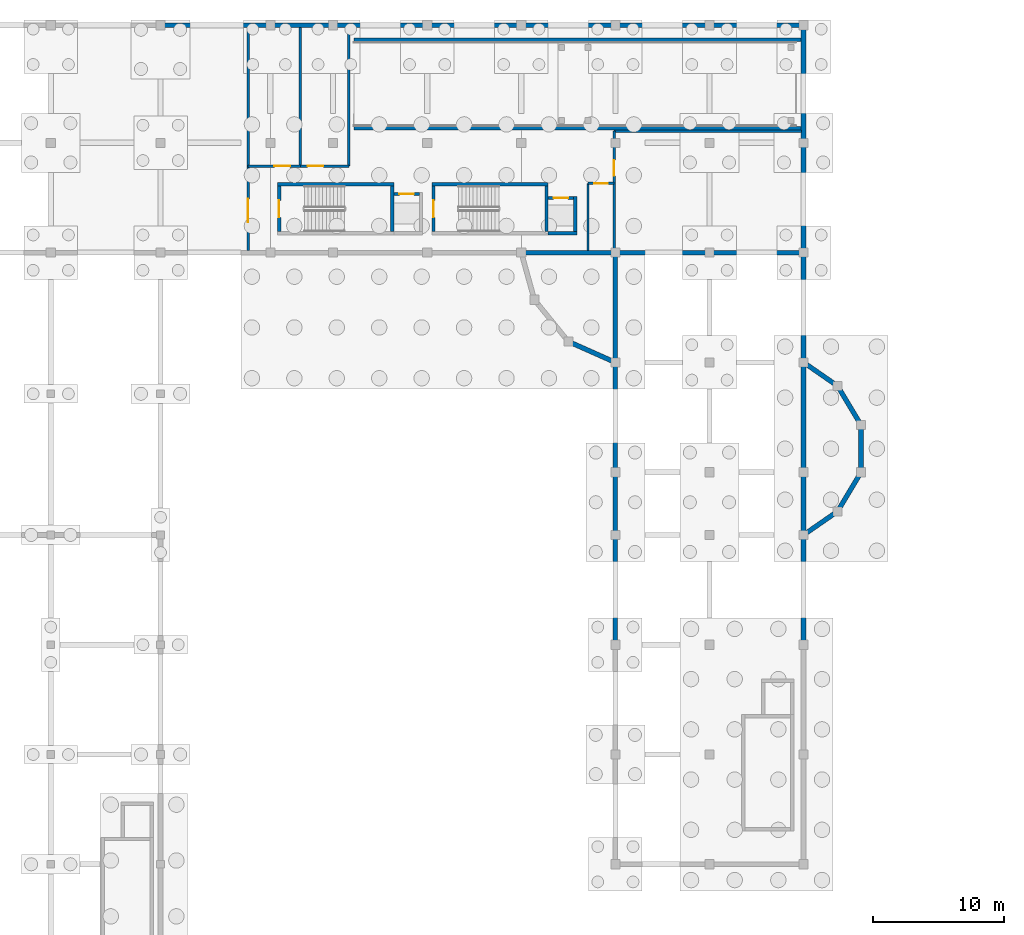
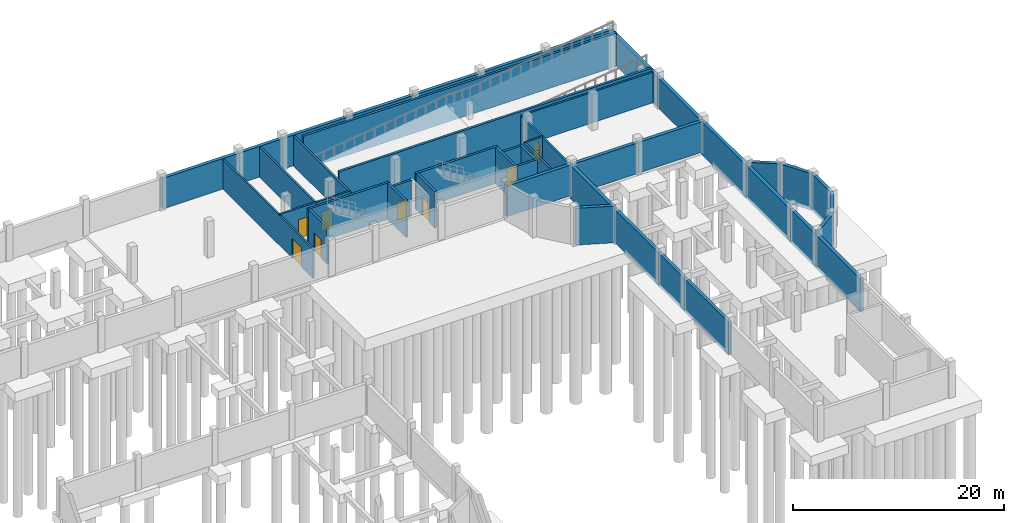
# One storey, part 17 of 22: 47 walls, 9 doors, 9 openings.
"""IFC4 building model written with IfcOpenShell, lengths in metres."""

from ifc_helpers import new_model, si_unit, direction, frame, frame_2d, origin, place, context, subcontext, project, spatial, rectangle, extrude, material, layer, layer_set, type_object, element, fill, save


model = new_model("IFC4")

# Units and contexts
model_context = context("Model", 3, precision=1e-05, world=origin(), true_north=direction((0.0, 1.0)))
body_context = subcontext(model_context, "Body", "Model", "MODEL_VIEW")
ifc_project = project(units=[si_unit("LENGTHUNIT", "METRE"), si_unit("AREAUNIT", "SQUARE_METRE"), si_unit("VOLUMEUNIT", "CUBIC_METRE"), si_unit("PLANEANGLEUNIT", "RADIAN"), si_unit("MASSUNIT", "GRAM", prefix="KILO")], contexts=[model_context])

# Site, building, storey
site_placement = place(None, origin())
site = spatial("IfcSite", under=ifc_project, at=site_placement, CompositionType="ELEMENT")
building_placement = place(site_placement, origin())
building = spatial("IfcBuilding", under=site, at=building_placement, Name="Kahlenmark Community Centre", CompositionType="ELEMENT")
storey_placement = place(building_placement, frame((0.0, 0.0, -4.199951171875)))
storey = spatial("IfcBuildingStorey", under=building, at=storey_placement, Name="B1", CompositionType="ELEMENT", Elevation=-4.199951171875)

# Wall, opening, door
ifc_material_1 = material(Name="Concrete C35/45", Category="concrete")
ifc_layer_1 = layer(ifc_material_1, 0.25)
ifc_layer_set_1 = layer_set([ifc_layer_1], Name="Concrete C35/45")
wall_type_1 = type_object("IfcWallType", Name="WT-CORE-250", PredefinedType="SHEAR", material=ifc_layer_set_1)
wall_1_placement = place(storey_placement, frame((46.675048828125, 102.699951171875, 0.0), z_axis=(0.0, 0.0, 1.0), x_axis=(0.0, -1.0, 0.0)))
wall_1 = element("IfcWall", 1, at=wall_1_placement, inside=storey, type_object=wall_type_1, Name="Core K4 shear wall WL-CORE-K4-B1-0099", PredefinedType="SHEAR", context=body_context, shape_type="SweptSolid", body=[
    extrude(rectangle(XDim=3.5, YDim=0.25, at=frame_2d((1.75, 0.0))), origin(), (0.0, 0.0, 1.0), 4.199951171875),
])
opening_1_placement = place(wall_1_placement, frame((1.10009765625, 0.0, -0.010009765625)))
opening_1 = element("IfcOpeningElement", 2, at=opening_1_placement, cuts=wall_1, Name="Opening FD-K4-B1", PredefinedType="OPENING", context=body_context, shape_type="SweptSolid", body=[
    extrude(rectangle(XDim=1.300048828125, YDim=2.159912109375, at=frame_2d((0.64990234375, 1.080078125))), frame((0.0, 0.135009765625, 0.0), z_axis=(0.0, -1.0, 0.0), x_axis=(1.0, 0.0, 0.0)), (0.0, 0.0, 1.0), 0.27001953125),
])
ifc_material_2 = material(Name="Fire-rated steel-framed timber door FD60S", Category="steel")
door_type_1 = type_object("IfcDoorType", Name="DT-FD-K4-B1", OperationType="NOTDEFINED", PredefinedType="DOOR", material=ifc_material_2)
door_1_placement = place(opening_1_placement, frame((0.0, 0.0, 0.010009765625)))
door_1 = element("IfcDoor", 3, at=door_1_placement, inside=storey, type_object=door_type_1, Name="Core K4 stair fire door B1", OperationType="SINGLE_SWING_RIGHT", OverallHeight=2.14990234375, OverallWidth=1.300048828125, PredefinedType="DOOR", context=body_context, shape_type="SweptSolid", body=[
    extrude(rectangle(XDim=1.300048828125, YDim=2.14990234375, at=frame_2d((0.64990234375, 1.074951171875))), frame((0.0, 0.02490234375, 0.0), z_axis=(0.0, -1.0, 0.0), x_axis=(1.0, 0.0, 0.0)), (0.0, 0.0, 1.0), 0.050048828125),
])
fill(opening_1, door_1)

# Walls
wall_2_placement = place(storey_placement, frame((46.550048828125, 102.824951171875, 0.0), z_axis=(0.0, 0.0, 1.0), x_axis=(1.0, 0.0, 0.0)))
element("IfcWall", 4, at=wall_2_placement, inside=storey, type_object=wall_type_1, Name="Core K4 shear wall WL-CORE-K4-B1-0101", PredefinedType="SHEAR", context=body_context, shape_type="SweptSolid", body=[
    extrude(rectangle(XDim=8.89990234375, YDim=0.25, at=frame_2d((4.449951171875, 0.0))), origin(), (0.0, 0.0, 1.0), 4.199951171875),
])
wall_3_placement = place(storey_placement, frame((55.324951171875, 99.199951171875, 0.0), z_axis=(0.0, 0.0, 1.0), x_axis=(0.0, 1.0, 0.0)))
element("IfcWall", 5, at=wall_3_placement, inside=storey, type_object=wall_type_1, Name="Core K4 shear wall WL-CORE-K4-B1-0102", PredefinedType="SHEAR", context=body_context, shape_type="SweptSolid", body=[
    extrude(rectangle(XDim=3.5, YDim=0.25, at=frame_2d((1.75, 0.0))), origin(), (0.0, 0.0, 1.0), 4.199951171875),
])

# Wall, opening, door
wall_4_placement = place(storey_placement, frame((55.449951171875, 102.0849609375, 0.0), z_axis=(0.0, 0.0, 1.0), x_axis=(1.0, 0.0, 0.0)))
wall_4 = element("IfcWall", 6, at=wall_4_placement, inside=storey, type_object=wall_type_1, Name="Core K4 shear wall WL-CORE-K4-B1-0105", PredefinedType="SHEAR", context=body_context, shape_type="SweptSolid", body=[
    extrude(rectangle(XDim=1.9599609375, YDim=0.25, at=frame_2d((0.97998046875, 0.0))), origin(), (0.0, 0.0, 1.0), 4.199951171875),
])
opening_2_placement = place(wall_4_placement, frame((0.429931640625, 0.0, -0.010009765625)))
opening_2 = element("IfcOpeningElement", 7, at=opening_2_placement, cuts=wall_4, Name="Opening LD-4", PredefinedType="OPENING", context=body_context, shape_type="SweptSolid", body=[
    extrude(rectangle(XDim=1.10009765625, YDim=2.159912109375, at=frame_2d((0.550048828125, 1.080078125))), frame((0.0, 0.135009765625, 0.0), z_axis=(0.0, -1.0, 0.0), x_axis=(1.0, 0.0, 0.0)), (0.0, 0.0, 1.0), 0.27001953125),
])
ifc_material_3 = material(Name="Brushed stainless steel sliding lift landing door", Category="steel")
door_type_2 = type_object("IfcDoorType", Name="DT-LD-K4", OperationType="SLIDING_TO_LEFT", PredefinedType="DOOR", material=ifc_material_3)
door_2_placement = place(opening_2_placement, frame((0.0, 0.0, 0.010009765625)))
door_2 = element("IfcDoor", 8, at=door_2_placement, inside=storey, type_object=door_type_2, Name="Lift LF-04 sliding landing door B1", OperationType="SLIDING_TO_LEFT", OverallHeight=2.14990234375, OverallWidth=1.10009765625, PredefinedType="DOOR", context=body_context, shape_type="SweptSolid", body=[
    extrude(rectangle(XDim=1.10009765625, YDim=2.14990234375, at=frame_2d((0.550048828125, 1.074951171875))), frame((0.0, 0.02490234375, 0.0), z_axis=(0.0, -1.0, 0.0), x_axis=(1.0, 0.0, 0.0)), (0.0, 0.0, 1.0), 0.050048828125),
])
fill(opening_2, door_2)

wall_5_placement = place(storey_placement, frame((58.47509765625, 102.699951171875, 0.0), z_axis=(0.0, 0.0, 1.0), x_axis=(0.0, -1.0, 0.0)))
wall_5 = element("IfcWall", 9, at=wall_5_placement, inside=storey, type_object=wall_type_1, Name="Core K5 shear wall WL-CORE-K5-B1-0148", PredefinedType="SHEAR", context=body_context, shape_type="SweptSolid", body=[
    extrude(rectangle(XDim=3.5, YDim=0.25, at=frame_2d((1.75, 0.0))), origin(), (0.0, 0.0, 1.0), 4.199951171875),
])
opening_3_placement = place(wall_5_placement, frame((1.10009765625, 0.0, -0.010009765625)))
opening_3 = element("IfcOpeningElement", 10, at=opening_3_placement, cuts=wall_5, Name="Opening FD-K5-B1", PredefinedType="OPENING", context=body_context, shape_type="SweptSolid", body=[
    extrude(rectangle(XDim=1.300048828125, YDim=2.159912109375, at=frame_2d((0.64990234375, 1.080078125))), frame((0.0, 0.135009765625, 0.0), z_axis=(0.0, -1.0, 0.0), x_axis=(1.0, 0.0, 0.0)), (0.0, 0.0, 1.0), 0.27001953125),
])
door_type_3 = type_object("IfcDoorType", Name="DT-FD-K5-B1", OperationType="NOTDEFINED", PredefinedType="DOOR", material=ifc_material_2)
door_3_placement = place(opening_3_placement, frame((1.300048828125, 0.0, 0.010009765625), z_axis=(0.0, 0.0, 1.0), x_axis=(-1.0, 0.0, 0.0)))
door_3 = element("IfcDoor", 11, at=door_3_placement, inside=storey, type_object=door_type_3, Name="Core K5 stair fire door B1", OperationType="SINGLE_SWING_LEFT", OverallHeight=2.14990234375, OverallWidth=1.300048828125, PredefinedType="DOOR", context=body_context, shape_type="SweptSolid", body=[
    extrude(rectangle(XDim=1.300048828125, YDim=2.14990234375, at=frame_2d((0.64990234375, 1.074951171875))), frame((0.0, 0.02490234375, 0.0), z_axis=(0.0, -1.0, 0.0), x_axis=(1.0, 0.0, 0.0)), (0.0, 0.0, 1.0), 0.050048828125),
])
fill(opening_3, door_3)

# Walls
wall_6_placement = place(storey_placement, frame((58.35009765625, 102.824951171875, 0.0), z_axis=(0.0, 0.0, 1.0), x_axis=(1.0, 0.0, 0.0)))
element("IfcWall", 12, at=wall_6_placement, inside=storey, type_object=wall_type_1, Name="Core K5 shear wall WL-CORE-K5-B1-0150", PredefinedType="SHEAR", context=body_context, shape_type="SweptSolid", body=[
    extrude(rectangle(XDim=8.89990234375, YDim=0.25, at=frame_2d((4.449951171875, 0.0))), origin(), (0.0, 0.0, 1.0), 4.199951171875),
])
wall_7_placement = place(storey_placement, frame((67.125, 99.199951171875, 0.0), z_axis=(0.0, 0.0, 1.0), x_axis=(0.0, 1.0, 0.0)))
element("IfcWall", 13, at=wall_7_placement, inside=storey, type_object=wall_type_1, Name="Core K5 shear wall WL-CORE-K5-B1-0151", PredefinedType="SHEAR", context=body_context, shape_type="SweptSolid", body=[
    extrude(rectangle(XDim=3.5, YDim=0.25, at=frame_2d((1.75, 0.0))), origin(), (0.0, 0.0, 1.0), 4.199951171875),
])
wall_8_placement = place(storey_placement, frame((67.25, 99.074951171875, 0.0), z_axis=(0.0, 0.0, 1.0), x_axis=(1.0, 0.0, 0.0)))
element("IfcWall", 14, at=wall_8_placement, inside=storey, type_object=wall_type_1, Name="Core K5 shear wall WL-CORE-K5-B1-0152", PredefinedType="SHEAR", context=body_context, shape_type="SweptSolid", body=[
    extrude(rectangle(XDim=2.2099609375, YDim=0.25, at=frame_2d((1.10498046875, 0.0))), origin(), (0.0, 0.0, 1.0), 4.199951171875),
])
wall_9_placement = place(storey_placement, frame((69.3349609375, 98.949951171875, 0.0), z_axis=(0.0, 0.0, 1.0), x_axis=(0.0, 1.0, 0.0)))
element("IfcWall", 15, at=wall_9_placement, inside=storey, type_object=wall_type_1, Name="Core K5 shear wall WL-CORE-K5-B1-0153", PredefinedType="SHEAR", context=body_context, shape_type="SweptSolid", body=[
    extrude(rectangle(XDim=2.9599609375, YDim=0.25, at=frame_2d((1.47998046875, 0.0))), origin(), (0.0, 0.0, 1.0), 4.199951171875),
])

# Wall, opening, door
wall_10_placement = place(storey_placement, frame((67.25, 101.784912109375, 0.0), z_axis=(0.0, 0.0, 1.0), x_axis=(1.0, 0.0, 0.0)))
wall_10 = element("IfcWall", 16, at=wall_10_placement, inside=storey, type_object=wall_type_1, Name="Core K5 shear wall WL-CORE-K5-B1-0154", PredefinedType="SHEAR", context=body_context, shape_type="SweptSolid", body=[
    extrude(rectangle(XDim=1.9599609375, YDim=0.25, at=frame_2d((0.97998046875, 0.0))), origin(), (0.0, 0.0, 1.0), 4.199951171875),
])
opening_4_placement = place(wall_10_placement, frame((0.429931640625, 0.0, -0.010009765625)))
opening_4 = element("IfcOpeningElement", 17, at=opening_4_placement, cuts=wall_10, Name="Opening LD-5", PredefinedType="OPENING", context=body_context, shape_type="SweptSolid", body=[
    extrude(rectangle(XDim=1.10009765625, YDim=2.159912109375, at=frame_2d((0.550048828125, 1.080078125))), frame((0.0, 0.135009765625, 0.0), z_axis=(0.0, -1.0, 0.0), x_axis=(1.0, 0.0, 0.0)), (0.0, 0.0, 1.0), 0.27001953125),
])
door_type_4 = type_object("IfcDoorType", Name="DT-LD-K5", OperationType="SLIDING_TO_LEFT", PredefinedType="DOOR", material=ifc_material_3)
door_4_placement = place(opening_4_placement, frame((0.0, 0.0, 0.010009765625)))
door_4 = element("IfcDoor", 18, at=door_4_placement, inside=storey, type_object=door_type_4, Name="Lift LF-05 sliding landing door B1", OperationType="SLIDING_TO_LEFT", OverallHeight=2.14990234375, OverallWidth=1.10009765625, PredefinedType="DOOR", context=body_context, shape_type="SweptSolid", body=[
    extrude(rectangle(XDim=1.10009765625, YDim=2.14990234375, at=frame_2d((0.550048828125, 1.074951171875))), frame((0.0, 0.02490234375, 0.0), z_axis=(0.0, -1.0, 0.0), x_axis=(1.0, 0.0, 0.0)), (0.0, 0.0, 1.0), 0.050048828125),
])
fill(opening_4, door_4)

# Walls
for number, where, z_axis, x_axis, name in (
    (19, (52.39990234375, 107.1201171875, 0.0), (0.0, 0.0, 1.0), (1.0, 0.0, 0.0), "Vehicle ramp flank wall S"),
    (20, (52.39990234375, 113.8798828125, 0.0), (0.0, 0.0, 1.0), (1.0, 0.0, 0.0), "Vehicle ramp flank wall N"),
):
    element("IfcWall", number, at=place(storey_placement, frame(where, z_axis=z_axis, x_axis=x_axis)), inside=storey, type_object=wall_type_1, Name=name, PredefinedType="SHEAR", context=body_context, shape_type="SweptSolid", body=[
        extrude(rectangle(XDim=34.22021484375, YDim=0.25, at=frame_2d((17.110107421875, 0.0))), origin(), (0.0, 0.0, 1.0), 3.8798828125),
    ])
ifc_layer_2 = layer(ifc_material_1, 0.360107421875)
ifc_layer_set_2 = layer_set([ifc_layer_2], Name="Concrete C35/45")
wall_type_2 = type_object("IfcWallType", Name="WT-EW-B1-360", PredefinedType="SOLIDWALL", material=ifc_layer_set_2)
wall_11_placement = place(storey_placement, frame((65.199951171875, 97.60009765625, 0.0), z_axis=(0.0, 0.0, 1.0), x_axis=(1.0, 0.0, 0.0)))
element("IfcWall", 21, at=wall_11_placement, inside=storey, type_object=wall_type_2, Name="B1 foundation wall 0057", PredefinedType="SOLIDWALL", context=body_context, shape_type="SweptSolid", body=[
    extrude(rectangle(XDim=7.199951171875, YDim=0.360107421875, at=frame_2d((3.60009765625, 0.0))), origin(), (0.0, 0.0, 1.0), 3.5400390625),
])
wall_12_placement = place(storey_placement, frame((72.39990234375, 97.60009765625, 0.0), z_axis=(0.0, 0.0, 1.0), x_axis=(1.0, 0.0, 0.0)))
element("IfcWall", 22, at=wall_12_placement, inside=storey, type_object=wall_type_2, Name="B1 foundation wall 0058", PredefinedType="SOLIDWALL", context=body_context, shape_type="SweptSolid", body=[
    extrude(rectangle(XDim=7.2001953125, YDim=0.360107421875, at=frame_2d((3.60009765625, 0.0))), origin(), (0.0, 0.0, 1.0), 3.5400390625),
])
wall_13_placement = place(storey_placement, frame((79.60009765625, 97.60009765625, 0.0), z_axis=(0.0, 0.0, 1.0), x_axis=(1.0, 0.0, 0.0)))
element("IfcWall", 23, at=wall_13_placement, inside=storey, type_object=wall_type_2, Name="B1 foundation wall 0059", PredefinedType="SOLIDWALL", context=body_context, shape_type="SweptSolid", body=[
    extrude(rectangle(XDim=7.199951171875, YDim=0.360107421875, at=frame_2d((3.60009765625, 0.0))), origin(), (0.0, 0.0, 1.0), 3.5400390625),
])
wall_14_placement = place(storey_placement, frame((37.60009765625, 115.0, 0.0), z_axis=(0.0, 0.0, 1.0), x_axis=(1.0, 0.0, 0.0)))
element("IfcWall", 24, at=wall_14_placement, inside=storey, type_object=wall_type_2, Name="B1 foundation wall 0064", PredefinedType="SOLIDWALL", context=body_context, shape_type="SweptSolid", body=[
    extrude(rectangle(XDim=8.39990234375, YDim=0.360107421875, at=frame_2d((4.199951171875, 0.0))), origin(), (0.0, 0.0, 1.0), 3.5400390625),
])
wall_15_placement = place(storey_placement, frame((46.0, 115.0, 0.0), z_axis=(0.0, 0.0, 1.0), x_axis=(1.0, 0.0, 0.0)))
element("IfcWall", 25, at=wall_15_placement, inside=storey, type_object=wall_type_2, Name="B1 foundation wall 0065", PredefinedType="SOLIDWALL", context=body_context, shape_type="SweptSolid", body=[
    extrude(rectangle(XDim=4.800048828125, YDim=0.360107421875, at=frame_2d((2.39990234375, 0.0))), origin(), (0.0, 0.0, 1.0), 3.5400390625),
])
for number, where, z_axis, x_axis, name in (
    (26, (50.800048828125, 115.0, 0.0), (0.0, 0.0, 1.0), (1.0, 0.0, 0.0), "B1 foundation wall 0066"),
    (27, (58.0, 115.0, 0.0), (0.0, 0.0, 1.0), (1.0, 0.0, 0.0), "B1 foundation wall 0067"),
    (28, (65.199951171875, 115.0, 0.0), (0.0, 0.0, 1.0), (1.0, 0.0, 0.0), "B1 foundation wall 0068"),
):
    element("IfcWall", number, at=place(storey_placement, frame(where, z_axis=z_axis, x_axis=x_axis)), inside=storey, type_object=wall_type_2, Name=name, PredefinedType="SOLIDWALL", context=body_context, shape_type="SweptSolid", body=[
        extrude(rectangle(XDim=7.199951171875, YDim=0.360107421875, at=frame_2d((3.60009765625, 0.0))), origin(), (0.0, 0.0, 1.0), 3.5400390625),
    ])
wall_16_placement = place(storey_placement, frame((72.39990234375, 115.0, 0.0), z_axis=(0.0, 0.0, 1.0), x_axis=(1.0, 0.0, 0.0)))
element("IfcWall", 29, at=wall_16_placement, inside=storey, type_object=wall_type_2, Name="B1 foundation wall 0069", PredefinedType="SOLIDWALL", context=body_context, shape_type="SweptSolid", body=[
    extrude(rectangle(XDim=7.2001953125, YDim=0.360107421875, at=frame_2d((3.60009765625, 0.0))), origin(), (0.0, 0.0, 1.0), 3.5400390625),
])
wall_17_placement = place(storey_placement, frame((79.60009765625, 115.0, 0.0), z_axis=(0.0, 0.0, 1.0), x_axis=(1.0, 0.0, 0.0)))
element("IfcWall", 30, at=wall_17_placement, inside=storey, type_object=wall_type_2, Name="B1 foundation wall 0070", PredefinedType="SOLIDWALL", context=body_context, shape_type="SweptSolid", body=[
    extrude(rectangle(XDim=7.199951171875, YDim=0.360107421875, at=frame_2d((3.60009765625, 0.0))), origin(), (0.0, 0.0, 1.0), 3.5400390625),
])
wall_18_placement = place(storey_placement, frame((86.800048828125, 97.60009765625, 0.0), z_axis=(0.0, 0.0, 1.0), x_axis=(0.0, 1.0, 0.0)))
element("IfcWall", 31, at=wall_18_placement, inside=storey, type_object=wall_type_2, Name="B1 foundation wall 0073", PredefinedType="SOLIDWALL", context=body_context, shape_type="SweptSolid", body=[
    extrude(rectangle(XDim=8.39990234375, YDim=0.360107421875, at=frame_2d((4.199951171875, 0.0))), origin(), (0.0, 0.0, 1.0), 3.43994140625),
])
wall_19_placement = place(storey_placement, frame((86.800048828125, 106.0, 0.0), z_axis=(0.0, 0.0, 1.0), x_axis=(0.0, 1.0, 0.0)))
element("IfcWall", 32, at=wall_19_placement, inside=storey, type_object=wall_type_2, Name="B1 foundation wall 0074", PredefinedType="SOLIDWALL", context=body_context, shape_type="SweptSolid", body=[
    extrude(rectangle(XDim=9.0, YDim=0.360107421875, at=frame_2d((4.5, 0.0))), origin(), (0.0, 0.0, 1.0), 3.43994140625),
])
wall_20_placement = place(storey_placement, frame((72.39990234375, 67.60009765625, -0.400146484375), z_axis=(0.0, 0.0, 1.0), x_axis=(0.0, 1.0, 0.0)))
element("IfcWall", 33, at=wall_20_placement, inside=storey, type_object=wall_type_2, Name="B1 foundation wall 0079", PredefinedType="SOLIDWALL", context=body_context, shape_type="SweptSolid", body=[
    extrude(rectangle(XDim=8.39990234375, YDim=0.360107421875, at=frame_2d((4.199951171875, 0.0))), origin(), (0.0, 0.0, 1.0), 3.840087890625),
])
wall_21_placement = place(storey_placement, frame((72.39990234375, 76.0, -0.400146484375), z_axis=(0.0, 0.0, 1.0), x_axis=(0.0, 1.0, 0.0)))
element("IfcWall", 34, at=wall_21_placement, inside=storey, type_object=wall_type_2, Name="B1 foundation wall 0080", PredefinedType="SOLIDWALL", context=body_context, shape_type="SweptSolid", body=[
    extrude(rectangle(XDim=4.800048828125, YDim=0.360107421875, at=frame_2d((2.39990234375, 0.0))), origin(), (0.0, 0.0, 1.0), 3.840087890625),
])
wall_22_placement = place(storey_placement, frame((72.39990234375, 80.800048828125, -0.400146484375), z_axis=(0.0, 0.0, 1.0), x_axis=(0.0, 1.0, 0.0)))
element("IfcWall", 35, at=wall_22_placement, inside=storey, type_object=wall_type_2, Name="B1 foundation wall 0081", PredefinedType="SOLIDWALL", context=body_context, shape_type="SweptSolid", body=[
    extrude(rectangle(XDim=8.39990234375, YDim=0.360107421875, at=frame_2d((4.199951171875, 0.0))), origin(), (0.0, 0.0, 1.0), 3.840087890625),
])
wall_23_placement = place(storey_placement, frame((72.39990234375, 89.199951171875, -0.400146484375), z_axis=(0.0, 0.0, 1.0), x_axis=(0.0, 1.0, 0.0)))
element("IfcWall", 36, at=wall_23_placement, inside=storey, type_object=wall_type_2, Name="B1 foundation wall 0082", PredefinedType="SOLIDWALL", context=body_context, shape_type="SweptSolid", body=[
    extrude(rectangle(XDim=8.400146484375, YDim=0.360107421875, at=frame_2d((4.2001953125, 0.0))), origin(), (0.0, 0.0, 1.0), 3.840087890625),
])
wall_24_placement = place(storey_placement, frame((86.800048828125, 67.60009765625, -0.400146484375), z_axis=(0.0, 0.0, 1.0), x_axis=(0.0, 1.0, 0.0)))
element("IfcWall", 37, at=wall_24_placement, inside=storey, type_object=wall_type_2, Name="B1 foundation wall 0085", PredefinedType="SOLIDWALL", context=body_context, shape_type="SweptSolid", body=[
    extrude(rectangle(XDim=8.39990234375, YDim=0.360107421875, at=frame_2d((4.199951171875, 0.0))), origin(), (0.0, 0.0, 1.0), 3.840087890625),
])
wall_25_placement = place(storey_placement, frame((86.800048828125, 76.0, -0.400146484375), z_axis=(0.0, 0.0, 1.0), x_axis=(0.0, 1.0, 0.0)))
element("IfcWall", 38, at=wall_25_placement, inside=storey, type_object=wall_type_2, Name="B1 foundation wall 0086", PredefinedType="SOLIDWALL", context=body_context, shape_type="SweptSolid", body=[
    extrude(rectangle(XDim=4.800048828125, YDim=0.360107421875, at=frame_2d((2.39990234375, 0.0))), origin(), (0.0, 0.0, 1.0), 3.840087890625),
])
wall_26_placement = place(storey_placement, frame((86.800048828125, 80.800048828125, -0.400146484375), z_axis=(0.0, 0.0, 1.0), x_axis=(0.0, 1.0, 0.0)))
element("IfcWall", 39, at=wall_26_placement, inside=storey, type_object=wall_type_2, Name="B1 foundation wall 0087", PredefinedType="SOLIDWALL", context=body_context, shape_type="SweptSolid", body=[
    extrude(rectangle(XDim=8.39990234375, YDim=0.360107421875, at=frame_2d((4.199951171875, 0.0))), origin(), (0.0, 0.0, 1.0), 3.840087890625),
])
wall_27_placement = place(storey_placement, frame((86.800048828125, 89.199951171875, -0.400146484375), z_axis=(0.0, 0.0, 1.0), x_axis=(0.0, 1.0, 0.0)))
element("IfcWall", 40, at=wall_27_placement, inside=storey, type_object=wall_type_2, Name="B1 foundation wall 0088", PredefinedType="SOLIDWALL", context=body_context, shape_type="SweptSolid", body=[
    extrude(rectangle(XDim=8.400146484375, YDim=0.360107421875, at=frame_2d((4.2001953125, 0.0))), origin(), (0.0, 0.0, 1.0), 3.840087890625),
])
wall_28_placement = place(storey_placement, frame((86.800048828125, 76.0, -0.400146484375), z_axis=(0.0, 0.0, 1.0), x_axis=(0.8221699556, 0.569242096219, 0.0)))
element("IfcWall", 41, at=wall_28_placement, inside=storey, type_object=wall_type_2, Name="B1 rotunda foundation wall 0127", PredefinedType="SOLIDWALL", context=body_context, shape_type="SweptSolid", body=[
    extrude(rectangle(XDim=3.162109375, YDim=0.360107421875, at=frame_2d((1.5810546875, 0.0))), origin(), (0.0, 0.0, 1.0), 4.25),
])
wall_29_placement = place(storey_placement, frame((89.39990234375, 77.800048828125, -0.400146484375), z_axis=(0.0, 0.0, 1.0), x_axis=(0.514506017516, 0.857486768376, 0.0)))
element("IfcWall", 42, at=wall_29_placement, inside=storey, type_object=wall_type_2, Name="B1 rotunda foundation wall 0128", PredefinedType="SOLIDWALL", context=body_context, shape_type="SweptSolid", body=[
    extrude(rectangle(XDim=3.49853515625, YDim=0.360107421875, at=frame_2d((1.749267578125, 0.0))), origin(), (0.0, 0.0, 1.0), 4.25),
])
wall_30_placement = place(storey_placement, frame((91.199951171875, 80.800048828125, -0.400146484375), z_axis=(0.0, 0.0, 1.0), x_axis=(0.0, 1.0, 0.0)))
element("IfcWall", 43, at=wall_30_placement, inside=storey, type_object=wall_type_2, Name="B1 rotunda foundation wall 0129", PredefinedType="SOLIDWALL", context=body_context, shape_type="SweptSolid", body=[
    extrude(rectangle(XDim=3.599853515625, YDim=0.360107421875, at=frame_2d((1.7998046875, 0.0))), origin(), (0.0, 0.0, 1.0), 4.25),
])
wall_31_placement = place(storey_placement, frame((91.199951171875, 84.39990234375, -0.400146484375), z_axis=(0.0, 0.0, 1.0), x_axis=(-0.514506017516, 0.857486768376, 0.0)))
element("IfcWall", 44, at=wall_31_placement, inside=storey, type_object=wall_type_2, Name="B1 rotunda foundation wall 0130", PredefinedType="SOLIDWALL", context=body_context, shape_type="SweptSolid", body=[
    extrude(rectangle(XDim=3.49853515625, YDim=0.360107421875, at=frame_2d((1.749267578125, 0.0))), origin(), (0.0, 0.0, 1.0), 4.25),
])
wall_32_placement = place(storey_placement, frame((89.39990234375, 87.39990234375, -0.400146484375), z_axis=(0.0, 0.0, 1.0), x_axis=(-0.8221699556, 0.569242096219, 0.0)))
element("IfcWall", 45, at=wall_32_placement, inside=storey, type_object=wall_type_2, Name="B1 rotunda foundation wall 0131", PredefinedType="SOLIDWALL", context=body_context, shape_type="SweptSolid", body=[
    extrude(rectangle(XDim=3.162109375, YDim=0.360107421875, at=frame_2d((1.5810546875, 0.0))), origin(), (0.0, 0.0, 1.0), 4.25),
])
wall_33_placement = place(storey_placement, frame((68.800048828125, 90.800048828125, -0.400146484375), z_axis=(0.0, 0.0, 1.0), x_axis=(0.913796214371, -0.40617296636, 0.0)))
element("IfcWall", 46, at=wall_33_placement, inside=storey, type_object=wall_type_2, Name="B1 rotunda foundation wall 0134", PredefinedType="SOLIDWALL", context=body_context, shape_type="SweptSolid", body=[
    extrude(rectangle(XDim=3.939453125, YDim=0.360107421875, at=frame_2d((1.9697265625, 0.0))), origin(), (0.0, 0.0, 1.0), 4.25),
])
ifc_material_4 = material(Name="Gypsum plasterboard partition", Category="gypsum")
ifc_layer_3 = layer(ifc_material_4, 0.179931640625)
ifc_layer_set_3 = layer_set([ifc_layer_3], Name="Gypsum plasterboard partition")
wall_type_3 = type_object("IfcWallType", Name="WT-PW-180", PredefinedType="PARTITIONING", material=ifc_layer_set_3)
wall_34_placement = place(storey_placement, frame((70.300048828125, 97.77001953125, 0.0), z_axis=(0.0, 0.0, 1.0), x_axis=(0.0, 1.0, 0.0)))
element("IfcWall", 47, at=wall_34_placement, inside=storey, type_object=wall_type_3, Name="Interior partition WL-INT-B1-0010", PredefinedType="PARTITIONING", context=body_context, shape_type="SweptSolid", body=[
    extrude(rectangle(XDim=5.1298828125, YDim=0.179931640625, at=frame_2d((2.56494140625, 0.0))), origin(), (0.0, 0.0, 1.0), 3.5400390625),
])

# Wall, opening, door
wall_35_placement = place(storey_placement, frame((70.300048828125, 102.89990234375, 0.0), z_axis=(0.0, 0.0, 1.0), x_axis=(1.0, 0.0, 0.0)))
wall_35 = element("IfcWall", 48, at=wall_35_placement, inside=storey, type_object=wall_type_3, Name="Interior partition WL-INT-B1-0011", PredefinedType="PARTITIONING", context=body_context, shape_type="SweptSolid", body=[
    extrude(rectangle(XDim=2.0, YDim=0.179931640625, at=frame_2d((1.0, 0.0))), origin(), (0.0, 0.0, 1.0), 3.5400390625),
])
opening_5_placement = place(wall_35_placement, frame((0.5, 0.0, -0.010009765625)))
opening_5 = element("IfcOpeningElement", 49, at=opening_5_placement, cuts=wall_35, Name="Opening D-B1-006", PredefinedType="OPENING", context=body_context, shape_type="SweptSolid", body=[
    extrude(rectangle(XDim=1.0, YDim=2.159912109375, at=frame_2d((0.5, 1.080078125))), frame((0.0, 0.099853515625, 0.0), z_axis=(0.0, -1.0, 0.0), x_axis=(1.0, 0.0, 0.0)), (0.0, 0.0, 1.0), 0.199951171875),
])
ifc_material_5 = material(Name="Oak timber veneer door leaf", Category="wood")
door_type_5 = type_object("IfcDoorType", Name="DT-INT-100X215", OperationType="NOTDEFINED", PredefinedType="DOOR", material=ifc_material_5)
door_5_placement = place(opening_5_placement, frame((1.0, 0.0, 0.010009765625), z_axis=(0.0, 0.0, 1.0), x_axis=(-1.0, 0.0, 0.0)))
door_5 = element("IfcDoor", 50, at=door_5_placement, inside=storey, type_object=door_type_5, Name="Interior door D-B1-006", OperationType="SINGLE_SWING_LEFT", OverallHeight=2.14990234375, OverallWidth=1.0, PredefinedType="DOOR", context=body_context, shape_type="SweptSolid", body=[
    extrude(rectangle(XDim=1.0, YDim=2.14990234375, at=frame_2d((0.5, 1.074951171875))), frame((0.0, 0.02490234375, 0.0), z_axis=(0.0, -1.0, 0.0), x_axis=(1.0, 0.0, 0.0)), (0.0, 0.0, 1.0), 0.050048828125),
])
fill(opening_5, door_5)

ifc_material_6 = material(Name="Masonry blockwork", Category="masonry")
ifc_layer_4 = layer(ifc_material_6, 0.199951171875)
ifc_layer_set_4 = layer_set([ifc_layer_4], Name="Masonry blockwork")
wall_type_4 = type_object("IfcWallType", Name="WT-PW-200", PredefinedType="PARTITIONING", material=ifc_layer_set_4)
wall_36_placement = place(storey_placement, frame((44.300048828125, 97.77001953125, 0.0), z_axis=(0.0, 0.0, 1.0), x_axis=(0.0, 1.0, 0.0)))
wall_36 = element("IfcWall", 51, at=wall_36_placement, inside=storey, type_object=wall_type_4, Name="Interior partition WL-INT-B1-0005", PredefinedType="PARTITIONING", context=body_context, shape_type="SweptSolid", body=[
    extrude(rectangle(XDim=17.06005859375, YDim=0.199951171875, at=frame_2d((8.530029296875, 0.0))), origin(), (0.0, 0.0, 1.0), 3.43994140625),
])
opening_6_placement = place(wall_36_placement, frame((2.135986328125, 0.0, -0.010009765625)))
opening_6 = element("IfcOpeningElement", 52, at=opening_6_placement, cuts=wall_36, Name="Opening D-B1-003", PredefinedType="OPENING", context=body_context, shape_type="SweptSolid", body=[
    extrude(rectangle(XDim=1.800048828125, YDim=2.260009765625, at=frame_2d((0.89990234375, 1.1298828125))), frame((0.0, 0.10986328125, 0.0), z_axis=(0.0, -1.0, 0.0), x_axis=(1.0, 0.0, 0.0)), (0.0, 0.0, 1.0), 0.219970703125),
])
ifc_material_7 = material(Name="Fire-rated double corridor door FD60S")
door_type_6 = type_object("IfcDoorType", Name="DT-FD60-180X225", OperationType="NOTDEFINED", PredefinedType="DOOR", material=ifc_material_7)
door_6_placement = place(opening_6_placement, frame((1.800048828125, 0.0, 0.010009765625), z_axis=(0.0, 0.0, 1.0), x_axis=(-1.0, 0.0, 0.0)))
door_6 = element("IfcDoor", 53, at=door_6_placement, inside=storey, type_object=door_type_6, Name="Interior door D-B1-003", OperationType="DOUBLE_SWING_LEFT", OverallHeight=2.25, OverallWidth=1.800048828125, PredefinedType="DOOR", context=body_context, shape_type="SweptSolid", body=[
    extrude(rectangle(XDim=1.800048828125, YDim=2.25, at=frame_2d((0.89990234375, 1.125))), frame((0.0, 0.02490234375, 0.0), z_axis=(0.0, -1.0, 0.0), x_axis=(1.0, 0.0, 0.0)), (0.0, 0.0, 1.0), 0.050048828125),
])
fill(opening_6, door_6)

wall_37_placement = place(storey_placement, frame((44.300048828125, 104.219970703125, 0.0), z_axis=(0.0, 0.0, 1.0), x_axis=(1.0, 0.0, 0.0)))
wall_37 = element("IfcWall", 54, at=wall_37_placement, inside=storey, type_object=wall_type_4, Name="Interior partition WL-INT-B1-0006", PredefinedType="PARTITIONING", context=body_context, shape_type="SweptSolid", body=[
    extrude(rectangle(XDim=4.0, YDim=0.199951171875, at=frame_2d((2.0, 0.0))), origin(), (0.0, 0.0, 1.0), 3.5400390625),
])
opening_7_placement = place(wall_37_placement, frame((2.01611328125, 0.0, -0.010009765625)))
opening_7 = element("IfcOpeningElement", 55, at=opening_7_placement, cuts=wall_37, Name="Opening D-B1-004", PredefinedType="OPENING", context=body_context, shape_type="SweptSolid", body=[
    extrude(rectangle(XDim=1.199951171875, YDim=2.2099609375, at=frame_2d((0.60009765625, 1.10498046875))), frame((0.0, 0.10986328125, 0.0), z_axis=(0.0, -1.0, 0.0), x_axis=(1.0, 0.0, 0.0)), (0.0, 0.0, 1.0), 0.219970703125),
])
ifc_material_8 = material(Name="Fire-rated timber door FD60S", Category="wood")
door_type_7 = type_object("IfcDoorType", Name="DT-FD60-120X220", OperationType="NOTDEFINED", PredefinedType="DOOR", material=ifc_material_8)
door_7_placement = place(opening_7_placement, frame((0.0, 0.0, 0.010009765625)))
door_7 = element("IfcDoor", 56, at=door_7_placement, inside=storey, type_object=door_type_7, Name="Interior door D-B1-004", OperationType="SINGLE_SWING_LEFT", OverallHeight=2.199951171875, OverallWidth=1.199951171875, PredefinedType="DOOR", context=body_context, shape_type="SweptSolid", body=[
    extrude(rectangle(XDim=1.199951171875, YDim=2.199951171875, at=frame_2d((0.60009765625, 1.10009765625))), frame((0.0, 0.02490234375, 0.0), z_axis=(0.0, -1.0, 0.0), x_axis=(1.0, 0.0, 0.0)), (0.0, 0.0, 1.0), 0.050048828125),
])
fill(opening_7, door_7)

wall_38_placement = place(storey_placement, frame((48.300048828125, 104.219970703125, 0.0), z_axis=(0.0, 0.0, 1.0), x_axis=(1.0, 0.0, 0.0)))
wall_38 = element("IfcWall", 57, at=wall_38_placement, inside=storey, type_object=wall_type_4, Name="Interior partition WL-INT-B1-0007", PredefinedType="PARTITIONING", context=body_context, shape_type="SweptSolid", body=[
    extrude(rectangle(XDim=3.699951171875, YDim=0.199951171875, at=frame_2d((1.85009765625, 0.0))), origin(), (0.0, 0.0, 1.0), 3.5400390625),
])
opening_8_placement = place(wall_38_placement, frame((0.550048828125, 0.0, -0.010009765625)))
opening_8 = element("IfcOpeningElement", 58, at=opening_8_placement, cuts=wall_38, Name="Opening D-B1-005", PredefinedType="OPENING", context=body_context, shape_type="SweptSolid", body=[
    extrude(rectangle(XDim=1.199951171875, YDim=2.2099609375, at=frame_2d((0.60009765625, 1.10498046875))), frame((0.0, 0.10986328125, 0.0), z_axis=(0.0, -1.0, 0.0), x_axis=(1.0, 0.0, 0.0)), (0.0, 0.0, 1.0), 0.219970703125),
])
door_8_placement = place(opening_8_placement, frame((0.0, 0.0, 0.010009765625)))
door_8 = element("IfcDoor", 59, at=door_8_placement, inside=storey, type_object=door_type_7, Name="Interior door D-B1-005", OperationType="SINGLE_SWING_RIGHT", OverallHeight=2.199951171875, OverallWidth=1.199951171875, PredefinedType="DOOR", context=body_context, shape_type="SweptSolid", body=[
    extrude(rectangle(XDim=1.199951171875, YDim=2.199951171875, at=frame_2d((0.60009765625, 1.10009765625))), frame((0.0, 0.02490234375, 0.0), z_axis=(0.0, -1.0, 0.0), x_axis=(1.0, 0.0, 0.0)), (0.0, 0.0, 1.0), 0.050048828125),
])
fill(opening_8, door_8)

# Walls
for number, where, z_axis, x_axis, name in (
    (60, (48.300048828125, 104.219970703125, 0.0), (0.0, 0.0, 1.0), (0.0, 1.0, 0.0), "Interior partition WL-INT-B1-0008"),
    (61, (52.0, 104.219970703125, 0.0), (0.0, 0.0, 1.0), (0.0, 1.0, 0.0), "Interior partition WL-INT-B1-0009"),
):
    element("IfcWall", number, at=place(storey_placement, frame(where, z_axis=z_axis, x_axis=x_axis)), inside=storey, type_object=wall_type_4, Name=name, PredefinedType="PARTITIONING", context=body_context, shape_type="SweptSolid", body=[
        extrude(rectangle(XDim=10.610107421875, YDim=0.199951171875, at=frame_2d((5.30517578125, 0.0))), origin(), (0.0, 0.0, 1.0), 3.43994140625),
    ])

# Wall, opening, door
wall_39_placement = place(storey_placement, frame((72.300048828125, 97.77001953125, 0.0), z_axis=(0.0, 0.0, 1.0), x_axis=(0.0, 1.0, 0.0)))
wall_39 = element("IfcWall", 62, at=wall_39_placement, inside=storey, type_object=wall_type_4, Name="Interior partition WL-INT-B1-0012", PredefinedType="PARTITIONING", context=body_context, shape_type="SweptSolid", body=[
    extrude(rectangle(XDim=9.1298828125, YDim=0.199951171875, at=frame_2d((4.56494140625, 0.0))), origin(), (0.0, 0.0, 1.0), 3.43994140625),
])
opening_9_placement = place(wall_39_placement, frame((5.7099609375, 0.0, -0.010009765625)))
opening_9 = element("IfcOpeningElement", 63, at=opening_9_placement, cuts=wall_39, Name="Opening D-B1-007", PredefinedType="OPENING", context=body_context, shape_type="SweptSolid", body=[
    extrude(rectangle(XDim=1.199951171875, YDim=2.2099609375, at=frame_2d((0.60009765625, 1.10498046875))), frame((0.0, 0.10986328125, 0.0), z_axis=(0.0, -1.0, 0.0), x_axis=(1.0, 0.0, 0.0)), (0.0, 0.0, 1.0), 0.219970703125),
])
door_9_placement = place(opening_9_placement, frame((0.0, 0.0, 0.010009765625)))
door_9 = element("IfcDoor", 64, at=door_9_placement, inside=storey, type_object=door_type_7, Name="Interior door D-B1-007", OperationType="SINGLE_SWING_RIGHT", OverallHeight=2.199951171875, OverallWidth=1.199951171875, PredefinedType="DOOR", context=body_context, shape_type="SweptSolid", body=[
    extrude(rectangle(XDim=1.199951171875, YDim=2.199951171875, at=frame_2d((0.60009765625, 1.10009765625))), frame((0.0, 0.02490234375, 0.0), z_axis=(0.0, -1.0, 0.0), x_axis=(1.0, 0.0, 0.0)), (0.0, 0.0, 1.0), 0.050048828125),
])
fill(opening_9, door_9)

# Wall
wall_40_placement = place(storey_placement, frame((72.300048828125, 106.89990234375, 0.0), z_axis=(0.0, 0.0, 1.0), x_axis=(1.0, 0.0, 0.0)))
element("IfcWall", 65, at=wall_40_placement, inside=storey, type_object=wall_type_4, Name="Interior partition WL-INT-B1-0013", PredefinedType="PARTITIONING", context=body_context, shape_type="SweptSolid", body=[
    extrude(rectangle(XDim=14.329833984375, YDim=0.199951171875, at=frame_2d((7.1650390625, 0.0))), origin(), (0.0, 0.0, 1.0), 3.5400390625),
])

save(model, "model.ifc")
